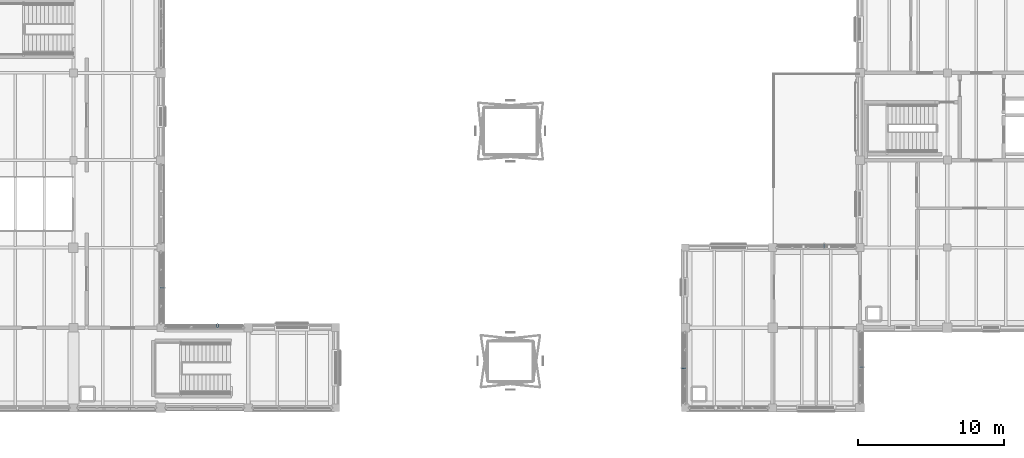
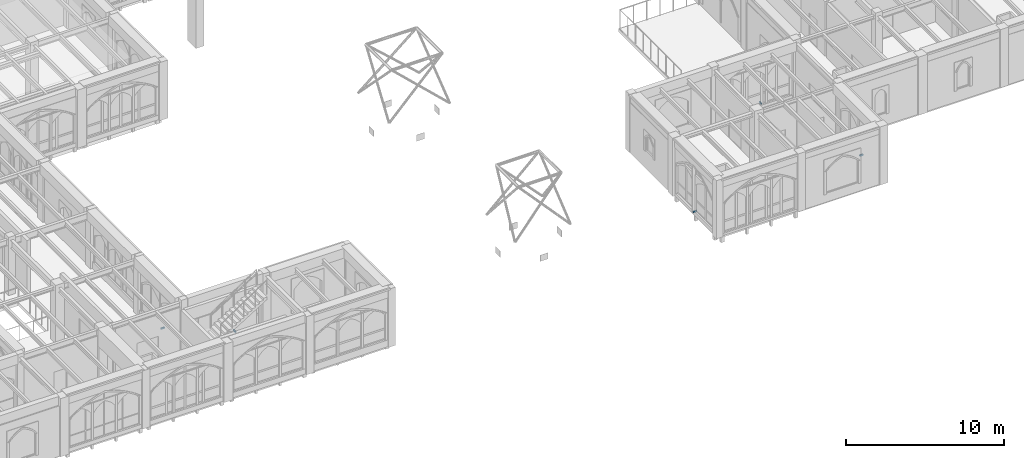
# One storey, part 87 of 127: 5 discrete accessories.
"""IFC4 building model written with IfcOpenShell, lengths in metres."""

from ifc_helpers import new_model, si_unit, direction, frame, origin, origin_2d, place, context, subcontext, project, spatial, rectangle, extrude, material, type_object, element, save


model = new_model("IFC4")

# Units and contexts
model_context = context("Model", 3, precision=1e-05, world=origin(), true_north=direction((0.0, 1.0)))
body_context = subcontext(model_context, "Body", "Model", "MODEL_VIEW")
ifc_project = project(units=[si_unit("LENGTHUNIT", "METRE"), si_unit("AREAUNIT", "SQUARE_METRE"), si_unit("VOLUMEUNIT", "CUBIC_METRE"), si_unit("PLANEANGLEUNIT", "RADIAN"), si_unit("MASSUNIT", "GRAM", prefix="KILO")], contexts=[model_context])

# Site, building, storey
site_placement = place(None, origin())
site = spatial("IfcSite", under=ifc_project, at=site_placement, CompositionType="ELEMENT")
building_placement = place(site_placement, origin())
building = spatial("IfcBuilding", under=site, at=building_placement, Name="Cumevento Cable Car Station", CompositionType="ELEMENT")
storey_placement = place(building_placement, frame((0.0, 0.0, 4.5)))
storey = spatial("IfcBuildingStorey", under=building, at=storey_placement, Name="L02", CompositionType="ELEMENT", Elevation=4.5)

# Discrete accessories
ifc_material = material(Name="Steel ASTM A572 Grade 50", Category="steel")
discrete_accessory_type = type_object("IfcDiscreteAccessoryType", Name="Fin Support Bracket BK-01", PredefinedType="BRACKET", material=ifc_material)
for number, where, z_axis, x_axis, name in (
    (1, (73.88330078125, 9.610107421875, 0.419921875), (0.0, 0.0, 1.0), (1.0, 0.0, 0.0), "Solar Fin Bracket #19"),
    (2, (115.544921875, 15.110107421875, 0.169921875), (0.0, 0.0, 1.0), (1.0, 0.0, 0.0), "Solar Fin Bracket #20"),
    (3, (105.889892578125, 6.72509765625, 0.219970703125), (0.0, 0.0, 1.0), (0.0, 1.0, 0.0), "Solar Fin Bracket #21"),
    (4, (118.110107421875, 6.77490234375, 0.27001953125), (0.0, 0.0, 1.0), (0.0, -1.0, 0.0), "Solar Fin Bracket #22"),
    (5, (70.110107421875, 12.237548828125, 0.369873046875), (0.0, 0.0, 1.0), (0.0, -1.0, 0.0), "Solar Fin Bracket #24"),
):
    element("IfcDiscreteAccessory", number, at=place(storey_placement, frame(where, z_axis=z_axis, x_axis=x_axis)), inside=storey, type_object=discrete_accessory_type, Name=name, PredefinedType="BRACKET", context=body_context, shape_type="SweptSolid", body=[
        extrude(rectangle(XDim=0.080078125, YDim=0.260009765625, at=origin_2d()), origin(), (0.0, 0.0, 1.0), 0.1201171875),
    ])

save(model, "model.ifc")
